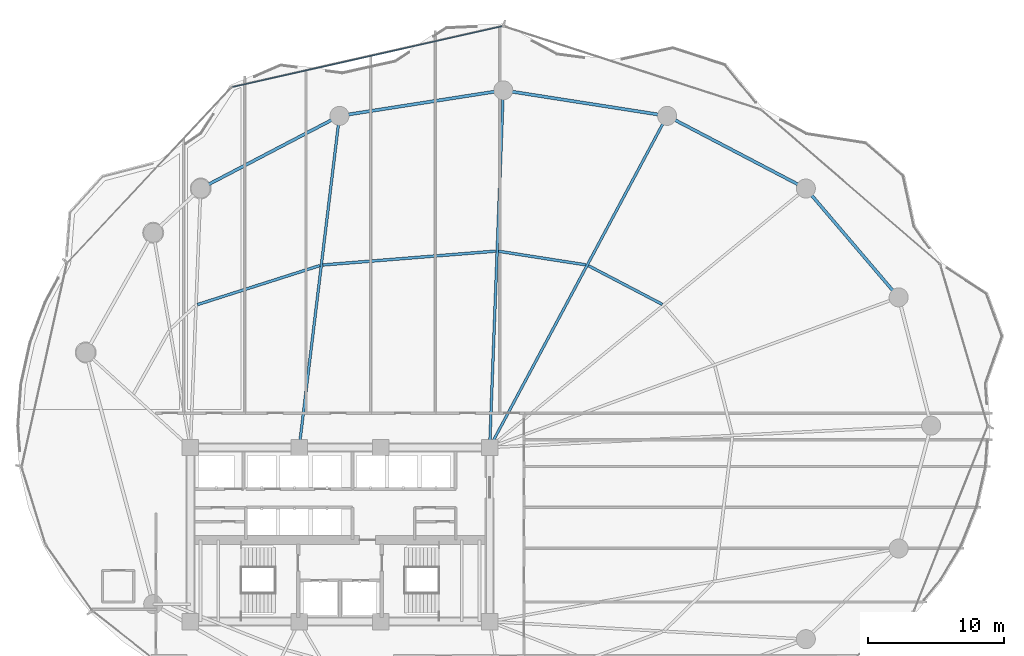
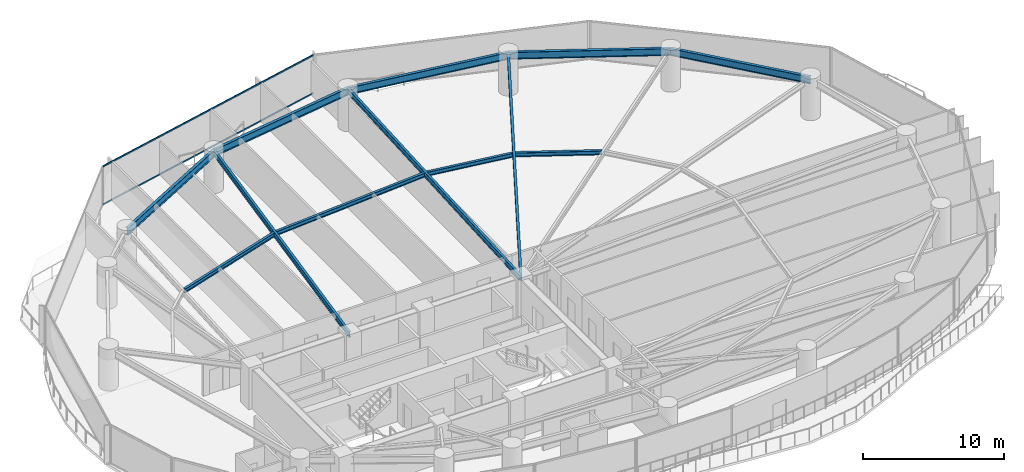
# One storey, part 18 of 33: 12 beams, 2 members, 1 element without a shape of its own.
"""IFC4 building model written with IfcOpenShell, lengths in metres."""

from ifc_helpers import new_model, si_unit, direction, frame, origin, origin_2d, place, context, subcontext, project, spatial, hollow_rectangle, i_section, extrude, material, layer, layer_set, material_profile, profile_set, type_object, element, aggregate, save


model = new_model("IFC4")

# Units and contexts
model_context = context("Model", 3, precision=1e-05, world=origin(), true_north=direction((0.0, 1.0)))
body_context = subcontext(model_context, "Body", "Model", "MODEL_VIEW")
ifc_project = project(units=[si_unit("LENGTHUNIT", "METRE"), si_unit("AREAUNIT", "SQUARE_METRE"), si_unit("VOLUMEUNIT", "CUBIC_METRE"), si_unit("PLANEANGLEUNIT", "RADIAN"), si_unit("MASSUNIT", "GRAM", prefix="KILO")], contexts=[model_context])

# Site, building, storey
site_placement = place(None, origin())
site = spatial("IfcSite", under=ifc_project, at=site_placement, CompositionType="ELEMENT")
building_placement = place(site_placement, origin())
building = spatial("IfcBuilding", under=site, at=building_placement, Name="Kazevale Care Tower and Concert Hall", CompositionType="ELEMENT")
storey_placement = place(building_placement, frame((0.0, 0.0, 45.60009765625)))
storey = spatial("IfcBuildingStorey", under=building, at=storey_placement, Name="L11", CompositionType="ELEMENT", Elevation=45.60009765625)

# Curtain wall, members
ifc_material_1 = material(Name="Aluminium 6063-T6 and Low-E Glass", Category="aluminium")
ifc_layer = layer(ifc_material_1, 0.179931640625)
ifc_layer_set = layer_set([ifc_layer], Name="Aluminium 6063-T6 and Low-E Glass")
curtain_wall_type = type_object("IfcCurtainWallType", Name="Convex Recessed Sunroom Curtain Wall CW-3", PredefinedType="NOTDEFINED", material=ifc_layer_set)
curtain_wall_placement = place(storey_placement, origin())
curtain_wall = element("IfcCurtainWall", 1, at=curtain_wall_placement, inside=storey, type_object=curtain_wall_type, Name="cw:L11:f15", PredefinedType="NOTDEFINED")
ifc_material_2 = material(Name="Aluminium 6063-T6", Category="aluminium")
ifc_material_profile_1 = material_profile(ifc_material_2, hollow_rectangle(XDim=0.074951171875, YDim=0.1201171875, WallThickness=0.00390625, at=origin_2d()), Name="ALU75x120x4")
ifc_profile_set_1 = profile_set([ifc_material_profile_1], Name="Aluminium 6063-T6")
member_type = type_object("IfcMemberType", Name="CW-3 Transom ALU75x120x4", PredefinedType="USERDEFINED", material=ifc_profile_set_1)
member_1_placement = place(storey_placement, frame((25.110107421875, 62.8935546875, 0.037353515625), z_axis=(0.975519983898, 0.219910802409, 0.0), x_axis=(-0.219910802409, 0.975519983898, 0.0)))
member_1 = element("IfcMember", 2, at=member_1_placement, type_object=member_type, Name="CW-3 transom 1.1", ObjectType="TRANSOM", PredefinedType="USERDEFINED", context=body_context, shape_type="SweptSolid", body=[
    extrude(hollow_rectangle(XDim=0.074951171875, YDim=0.1201171875, WallThickness=0.00390625, at=origin_2d()), origin(), (0.0, 0.0, 1.0), 20.27197265625),
])
member_2_placement = place(storey_placement, frame((25.110107421875, 62.8935546875, 3.322509765625), z_axis=(0.975519983898, 0.219910802409, 0.0), x_axis=(-0.219910802409, 0.975519983898, 0.0)))
member_2 = element("IfcMember", 3, at=member_2_placement, type_object=member_type, Name="CW-3 transom 1.2", ObjectType="TRANSOM", PredefinedType="USERDEFINED", context=body_context, shape_type="SweptSolid", body=[
    extrude(hollow_rectangle(XDim=0.074951171875, YDim=0.1201171875, WallThickness=0.00390625, at=origin_2d()), origin(), (0.0, 0.0, 1.0), 20.27197265625),
])
aggregate(curtain_wall, [member_1, member_2])

# Beams
ifc_material_3 = material(Name="Steel ASTM A572 Gr 50", Category="steel")
ifc_material_profile_2 = material_profile(ifc_material_3, i_section(OverallWidth=0.19091796875, OverallDepth=0.4599609375, WebThickness=0.010009765625, FlangeThickness=0.01611328125, at=origin_2d()), Name="W460x82")
ifc_profile_set_2 = profile_set([ifc_material_profile_2], Name="Steel ASTM A572 Gr 50")
beam_type_1 = type_object("IfcBeamType", Name="Radial Floor Beam W460x82", PredefinedType="BEAM", material=ifc_profile_set_2)
beam_1_placement = place(storey_placement, frame((44.0, 36.39990234375, 3.1298828125), z_axis=(0.471788966953, 0.88171150081, 0.0), x_axis=(-0.88171150081, 0.471788966953, 0.0)))
element("IfcBeam", 4, at=beam_1_placement, inside=storey, type_object=beam_type_1, Name="beam:L11:rad:04", PredefinedType="BEAM", context=body_context, shape_type="SweptSolid", body=[
    extrude(i_section(OverallWidth=0.19091796875, OverallDepth=0.4599609375, WebThickness=0.010009765625, FlangeThickness=0.01611328125, at=origin_2d()), origin(), (0.0, 0.0, 1.0), 27.6396484375),
])
beam_2_placement = place(storey_placement, frame((44.0, 36.39990234375, 3.1298828125), z_axis=(0.038067625343, 0.999275165258, 0.0), x_axis=(-0.999275165258, 0.038067625343, 0.0)))
element("IfcBeam", 5, at=beam_2_placement, inside=storey, type_object=beam_type_1, Name="beam:L11:rad:05", PredefinedType="BEAM", context=body_context, shape_type="SweptSolid", body=[
    extrude(i_section(OverallWidth=0.19091796875, OverallDepth=0.4599609375, WebThickness=0.010009765625, FlangeThickness=0.01611328125, at=origin_2d()), origin(), (0.0, 0.0, 1.0), 26.26904296875),
])
beam_3_placement = place(storey_placement, frame((30.0, 36.39990234375, 3.1298828125), z_axis=(0.120572526662, 0.9927045209, 0.0), x_axis=(-0.9927045209, 0.120572526662, 0.0)))
element("IfcBeam", 6, at=beam_3_placement, inside=storey, type_object=beam_type_1, Name="beam:L11:rad:06", PredefinedType="BEAM", context=body_context, shape_type="SweptSolid", body=[
    extrude(i_section(OverallWidth=0.19091796875, OverallDepth=0.4599609375, WebThickness=0.010009765625, FlangeThickness=0.01611328125, at=origin_2d()), origin(), (0.0, 0.0, 1.0), 24.54931640625),
])
ifc_material_profile_3 = material_profile(ifc_material_3, i_section(OverallWidth=0.22900390625, OverallDepth=0.612060546875, WebThickness=0.011962890625, FlangeThickness=0.01953125, at=origin_2d()), Name="W610x125")
ifc_profile_set_3 = profile_set([ifc_material_profile_3], Name="Steel ASTM A572 Gr 50")
beam_type_2 = type_object("IfcBeamType", Name="Ring Spandrel Beam W610x125", PredefinedType="SPANDREL", material=ifc_profile_set_3)
beam_4_placement = place(storey_placement, frame((74.06005859375, 47.429931640625, 3.053955078125), z_axis=(-0.648756004283, 0.760996482848, 0.0), x_axis=(-0.760996482848, -0.648756004283, 0.0)))
element("IfcBeam", 7, at=beam_4_placement, inside=storey, type_object=beam_type_2, Name="beam:L11:ring:02", PredefinedType="SPANDREL", context=body_context, shape_type="SweptSolid", body=[
    extrude(i_section(OverallWidth=0.22900390625, OverallDepth=0.612060546875, WebThickness=0.011962890625, FlangeThickness=0.01953125, at=origin_2d()), origin(), (0.0, 0.0, 1.0), 10.512451171875),
])
beam_5_placement = place(storey_placement, frame((67.239990234375, 55.429931640625, 3.053955078125), z_axis=(-0.885929466679, 0.463819986708, 0.0), x_axis=(-0.463819986708, -0.885929466679, 0.0)))
element("IfcBeam", 8, at=beam_5_placement, inside=storey, type_object=beam_type_2, Name="beam:L11:ring:03", PredefinedType="SPANDREL", context=body_context, shape_type="SweptSolid", body=[
    extrude(i_section(OverallWidth=0.22900390625, OverallDepth=0.612060546875, WebThickness=0.011962890625, FlangeThickness=0.01953125, at=origin_2d()), origin(), (0.0, 0.0, 1.0), 11.51318359375),
])
for number, where, z_axis, x_axis, name in (
    (9, (57.0400390625, 60.77001953125, 3.053955078125), (-0.988029216561, 0.154266870134, 0.0), (-0.154266870134, -0.988029216561, 0.0), "beam:L11:ring:04"),
    (10, (45.0, 62.64990234375, 3.053955078125), (-0.988029216561, -0.154266870134, 0.0), (0.154266870134, -0.988029216561, 0.0), "beam:L11:ring:05"),
):
    element("IfcBeam", number, at=place(storey_placement, frame(where, z_axis=z_axis, x_axis=x_axis)), inside=storey, type_object=beam_type_2, Name=name, PredefinedType="SPANDREL", context=body_context, shape_type="SweptSolid", body=[
        extrude(i_section(OverallWidth=0.22900390625, OverallDepth=0.612060546875, WebThickness=0.011962890625, FlangeThickness=0.01953125, at=origin_2d()), origin(), (0.0, 0.0, 1.0), 12.18603515625),
    ])
beam_6_placement = place(storey_placement, frame((32.9599609375, 60.77001953125, 3.053955078125), z_axis=(-0.885929466679, -0.463819986708, 0.0), x_axis=(0.463819986708, -0.885929466679, 0.0)))
element("IfcBeam", 11, at=beam_6_placement, inside=storey, type_object=beam_type_2, Name="beam:L11:ring:06", PredefinedType="SPANDREL", context=body_context, shape_type="SweptSolid", body=[
    extrude(i_section(OverallWidth=0.22900390625, OverallDepth=0.612060546875, WebThickness=0.011962890625, FlangeThickness=0.01953125, at=origin_2d()), origin(), (0.0, 0.0, 1.0), 11.51318359375),
])
ifc_material_profile_4 = material_profile(ifc_material_3, i_section(OverallWidth=0.205078125, OverallDepth=0.35400390625, WebThickness=0.009521484375, FlangeThickness=0.016845703125, at=origin_2d()), Name="W360x79")
ifc_profile_set_4 = profile_set([ifc_material_profile_4], Name="Steel ASTM A572 Gr 50")
beam_type_3 = type_object("IfcBeamType", Name="Secondary Floor Joist W360x79", PredefinedType="JOIST", material=ifc_profile_set_4)
beam_7_placement = place(storey_placement, frame((56.68896484375, 46.9150390625, 3.182861328125), z_axis=(-0.885921274797, 0.463835633454, 0.0), x_axis=(-0.463835633454, -0.885921274797, 0.0)))
element("IfcBeam", 12, at=beam_7_placement, inside=storey, type_object=beam_type_3, Name="beam:L11:joist:03", PredefinedType="JOIST", context=body_context, shape_type="SweptSolid", body=[
    extrude(i_section(OverallWidth=0.205078125, OverallDepth=0.35400390625, WebThickness=0.009521484375, FlangeThickness=0.016845703125, at=origin_2d()), origin(), (0.0, 0.0, 1.0), 6.12255859375),
])
beam_8_placement = place(storey_placement, frame((51.068115234375, 49.820068359375, 3.182861328125), z_axis=(-0.988040697826, 0.154193318403, 0.0), x_axis=(-0.154193318403, -0.988040697826, 0.0)))
element("IfcBeam", 13, at=beam_8_placement, inside=storey, type_object=beam_type_3, Name="beam:L11:joist:04", PredefinedType="JOIST", context=body_context, shape_type="SweptSolid", body=[
    extrude(i_section(OverallWidth=0.205078125, OverallDepth=0.35400390625, WebThickness=0.009521484375, FlangeThickness=0.016845703125, at=origin_2d()), origin(), (0.0, 0.0, 1.0), 6.49169921875),
])
beam_9_placement = place(storey_placement, frame((44.445068359375, 50.8291015625, 3.182861328125), z_axis=(-0.996814548036, -0.079754353015, 0.0), x_axis=(0.079754353015, -0.996814548036, 0.0)))
element("IfcBeam", 14, at=beam_9_placement, inside=storey, type_object=beam_type_3, Name="beam:L11:joist:05", PredefinedType="JOIST", context=body_context, shape_type="SweptSolid", body=[
    extrude(i_section(OverallWidth=0.205078125, OverallDepth=0.35400390625, WebThickness=0.009521484375, FlangeThickness=0.016845703125, at=origin_2d()), origin(), (0.0, 0.0, 1.0), 12.752685546875),
])
beam_10_placement = place(storey_placement, frame((31.528076171875, 49.77197265625, 3.182861328125), z_axis=(-0.9527054955, -0.303895111584, 0.0), x_axis=(0.303895111584, -0.9527054955, 0.0)))
element("IfcBeam", 15, at=beam_10_placement, inside=storey, type_object=beam_type_3, Name="beam:L11:joist:06", PredefinedType="JOIST", context=body_context, shape_type="SweptSolid", body=[
    extrude(i_section(OverallWidth=0.205078125, OverallDepth=0.35400390625, WebThickness=0.009521484375, FlangeThickness=0.016845703125, at=origin_2d()), origin(), (0.0, 0.0, 1.0), 9.457275390625),
])

save(model, "model.ifc")
